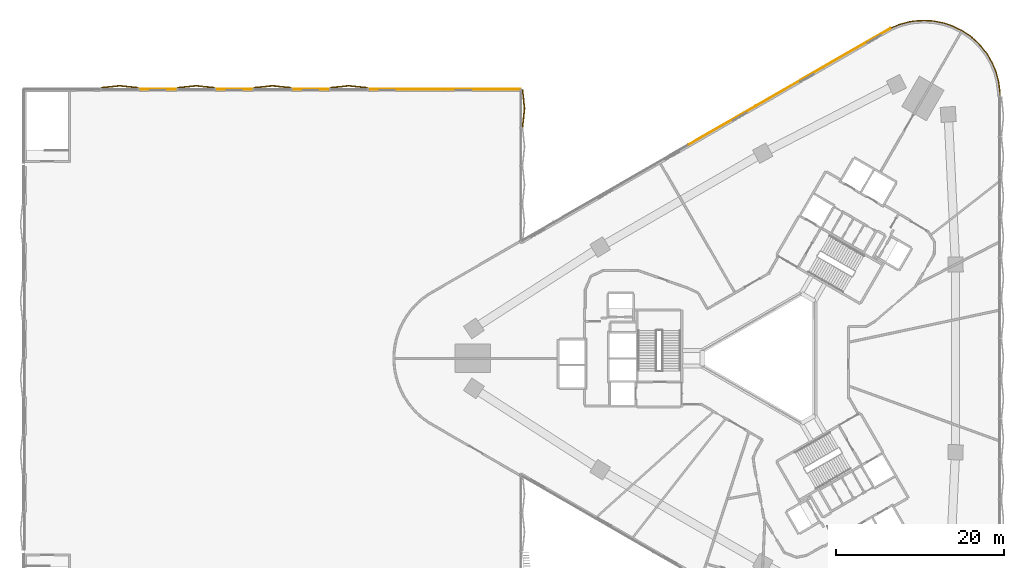
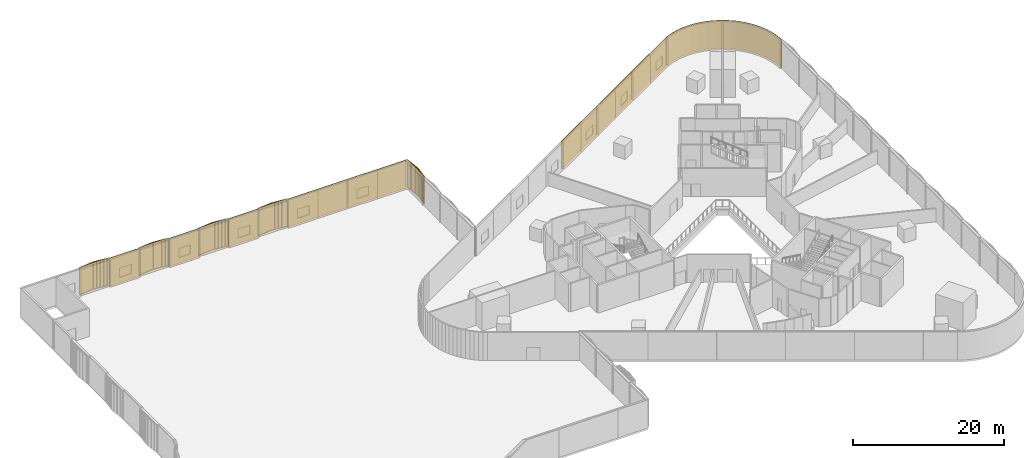
# One storey, part 23 of 24: 14 coverings.
"""IFC4 building model written with IfcOpenShell, lengths in metres."""

from ifc_helpers import new_model, si_unit, direction, frame, frame_2d, origin, origin_2d, place, context, subcontext, project, spatial, polyline, rectangle, outline, extrude, source, transform, mapped, material, layer, layer_set, type_object, element, save


model = new_model("IFC4")

# Units and contexts
model_context = context("Model", 3, precision=1e-05, world=origin(), true_north=direction((0.0, 1.0)))
body_context = subcontext(model_context, "Body", "Model", "MODEL_VIEW")
ifc_project = project(units=[si_unit("LENGTHUNIT", "METRE"), si_unit("AREAUNIT", "SQUARE_METRE"), si_unit("VOLUMEUNIT", "CUBIC_METRE"), si_unit("PLANEANGLEUNIT", "RADIAN"), si_unit("MASSUNIT", "GRAM", prefix="KILO")], contexts=[model_context])

# Site, building, storey
site_placement = place(None, origin())
site = spatial("IfcSite", under=ifc_project, at=site_placement, CompositionType="ELEMENT")
building_placement = place(site_placement, origin())
building = spatial("IfcBuilding", under=site, at=building_placement, Name="Tamra Quay Hotel Tower", CompositionType="ELEMENT")
storey_placement = place(building_placement, frame((0.0, 0.0, 19.5)))
storey = spatial("IfcBuildingStorey", under=building, at=storey_placement, Name="L03", CompositionType="ELEMENT", Elevation=19.5)

# Coverings
ifc_material_1 = material(Name="Precast concrete M60 terracotta-coloured pierced relief", Category="masonry")
ifc_layer = layer(ifc_material_1, 0.10009765625)
ifc_layer_set = layer_set([ifc_layer], Name="PIERCED RELIEF PANEL 100")
covering_type_1 = type_object("IfcCoveringType", Name="PIERCED RELIEF PANEL 100", PredefinedType="CLADDING", material=ifc_layer_set)
covering_1_placement = place(storey_placement, origin())
element("IfcCovering", 1, at=covering_1_placement, inside=storey, type_object=covering_type_1, Name="Relief panel L03.c2", PredefinedType="CLADDING", context=body_context, shape_type="SweptSolid", body=[
    extrude(outline(polyline([(27.0, 31.177001953125), (26.980712890625, 31.765625), (26.8271484375, 32.9326171875), (26.5224609375, 34.06982421875), (26.07177734375, 35.157470703125), (25.483154296875, 36.177001953125), (24.7666015625, 37.111083984375), (23.93408203125, 37.943359375), (23.478759765625, 38.317138671875), (22.5, 38.97119140625), (21.444091796875, 39.491943359375), (20.329345703125, 39.870361328125), (19.1748046875, 40.099853515625), (18.0, 40.177001953125), (16.8251953125, 40.099853515625), (16.244140625, 40.00390625), (15.10693359375, 39.69921875), (14.019287109375, 39.248779296875), (13.981201171875, 39.341064453125), (15.074951171875, 39.7939453125), (16.22314453125, 40.101806640625), (16.813720703125, 40.19921875), (18.0, 40.27685546875), (19.187744140625, 40.198974609375), (20.355224609375, 39.966796875), (21.482421875, 39.584228515625), (22.550048828125, 39.057861328125), (23.538330078125, 38.3974609375), (24.001220703125, 38.017578125), (24.841796875, 37.177001953125), (25.56640625, 36.232666015625), (26.16162109375, 35.20166015625), (26.616943359375, 34.10205078125), (26.925048828125, 32.9521484375), (27.080322265625, 31.773681640625), (27.099853515625, 31.18017578125), (27.0, 31.177001953125)])), origin(), (0.0, 0.0, 1.0), 4.550048828125),
])
for number, where, z_axis, x_axis, name in (
    (2, (9.99267578125, 36.983642578125, 0.0), (0.0, 0.0, 1.0), (-0.866214936261, -0.499671576337, 0.0), "Relief panel L03.NW.00"),
    (3, (1.989013671875, 32.366943359375, 0.0), (0.0, 0.0, 1.0), (-0.866214936261, -0.499671576337, 0.0), "Relief panel L03.NW.02"),
    (4, (-6.014404296875, 27.75, 0.0), (0.0, 0.0, 1.0), (-0.866214936261, -0.499671576337, 0.0), "Relief panel L03.NW.04"),
):
    element("IfcCovering", number, at=place(storey_placement, frame(where, z_axis=z_axis, x_axis=x_axis)), inside=storey, type_object=covering_type_1, Name=name, PredefinedType="CLADDING", context=body_context, shape_type="SweptSolid", body=[
        extrude(rectangle(XDim=9.2197265625, YDim=0.10009765625, at=origin_2d()), origin(), (0.0, 0.0, 1.0), 4.550048828125),
    ])
for number, where, z_axis, x_axis, name in (
    (5, (-34.546142578125, 32.050048828125, 0.0), (0.0, 0.0, 1.0), (-1.0, 0.0, 0.0), "Relief panel L03.NW.11"),
    (6, (-43.638427734375, 32.050048828125, 0.0), (0.0, 0.0, 1.0), (-1.0, 0.0, 0.0), "Relief panel L03.NW.13"),
):
    element("IfcCovering", number, at=place(storey_placement, frame(where, z_axis=z_axis, x_axis=x_axis)), inside=storey, type_object=covering_type_1, Name=name, PredefinedType="CLADDING", context=body_context, shape_type="SweptSolid", body=[
        extrude(rectangle(XDim=9.072265625, YDim=0.10009765625, at=origin_2d()), origin(), (0.0, 0.0, 1.0), 4.550048828125),
    ])
for number, where, z_axis, x_axis, name in (
    (7, (-55.00390625, 32.050048828125, 0.0), (0.0, 0.0, 1.0), (-1.0, 0.0, 0.0), "Relief panel L03.NW.16"),
    (8, (-64.09619140625, 32.050048828125, 0.0), (0.0, 0.0, 1.0), (-1.0, 0.0, 0.0), "Relief panel L03.NW.18"),
    (9, (-73.1884765625, 32.050048828125, 0.0), (0.0, 0.0, 1.0), (-1.0, 0.0, 0.0), "Relief panel L03.NW.20"),
):
    element("IfcCovering", number, at=place(storey_placement, frame(where, z_axis=z_axis, x_axis=x_axis)), inside=storey, type_object=covering_type_1, Name=name, PredefinedType="CLADDING", context=body_context, shape_type="SweptSolid", body=[
        extrude(rectangle(XDim=4.526123046875, YDim=0.10009765625, at=origin_2d()), origin(), (0.0, 0.0, 1.0), 4.550048828125),
    ])
ifc_material_2 = material(Name="Terracotta baguette extruded", Category="masonry")
covering_type_2 = type_object("IfcCoveringType", Name="BAGUETTE SCREEN PODIUM-SHALLOW H4550", PredefinedType="USERDEFINED", material=ifc_material_2)
shared_shape_1 = source(origin(), body_context, "Body", "SweptSolid", [
    extrude(rectangle(XDim=2.234619140625, YDim=0.06005859375, at=frame_2d((1.1171875, 0.030029296875))), frame((-2.228759765625, -0.0576171875, -0.1201171875), z_axis=(0.0, 0.0, 1.0), x_axis=(0.994521895368, -0.104528463268, 0.0)), (0.0, 0.0, 1.0), 0.1201171875),
    extrude(rectangle(XDim=2.234619140625, YDim=0.06005859375, at=frame_2d((1.1171875, 0.030029296875))), frame((-2.228759765625, -0.0576171875, -4.550048828125), z_axis=(0.0, 0.0, 1.0), x_axis=(0.994521895368, -0.104528463268, 0.0)), (0.0, 0.0, 1.0), 0.1201171875),
    extrude(rectangle(XDim=0.094970703125, YDim=0.10009765625, at=frame_2d((0.04736328125, 0.050048828125))), frame((-2.219482421875, -0.13330078125, -4.489990234375)), (0.0, 0.0, 1.0), 4.429931640625),
    extrude(rectangle(XDim=0.094970703125, YDim=0.10009765625, at=frame_2d((0.04736328125, 0.050048828125))), frame((-2.118408203125, -0.14404296875, -4.489990234375)), (0.0, 0.0, 1.0), 4.429931640625),
    extrude(rectangle(XDim=0.094970703125, YDim=0.10009765625, at=frame_2d((0.04736328125, 0.050048828125))), frame((-2.017333984375, -0.154541015625, -4.489990234375)), (0.0, 0.0, 1.0), 4.429931640625),
    extrude(rectangle(XDim=0.094970703125, YDim=0.10009765625, at=frame_2d((0.04736328125, 0.050048828125))), frame((-1.91650390625, -0.1650390625, -4.489990234375)), (0.0, 0.0, 1.0), 4.429931640625),
    extrude(rectangle(XDim=0.094970703125, YDim=0.10009765625, at=frame_2d((0.04736328125, 0.050048828125))), frame((-1.8154296875, -0.17578125, -4.489990234375)), (0.0, 0.0, 1.0), 4.429931640625),
    extrude(rectangle(XDim=0.094970703125, YDim=0.10009765625, at=frame_2d((0.04736328125, 0.050048828125))), frame((-1.71435546875, -0.186279296875, -4.489990234375)), (0.0, 0.0, 1.0), 4.429931640625),
    extrude(rectangle(XDim=0.094970703125, YDim=0.10009765625, at=frame_2d((0.04736328125, 0.050048828125))), frame((-1.61328125, -0.197021484375, -4.489990234375)), (0.0, 0.0, 1.0), 4.429931640625),
    extrude(rectangle(XDim=0.094970703125, YDim=0.10009765625, at=frame_2d((0.04736328125, 0.050048828125))), frame((-1.512451171875, -0.20751953125, -4.489990234375)), (0.0, 0.0, 1.0), 4.429931640625),
    extrude(rectangle(XDim=0.094970703125, YDim=0.10009765625, at=frame_2d((0.04736328125, 0.050048828125))), frame((-1.411376953125, -0.21826171875, -4.489990234375)), (0.0, 0.0, 1.0), 4.429931640625),
    extrude(rectangle(XDim=0.094970703125, YDim=0.10009765625, at=frame_2d((0.04736328125, 0.050048828125))), frame((-1.310302734375, -0.228759765625, -4.489990234375)), (0.0, 0.0, 1.0), 4.429931640625),
    extrude(rectangle(XDim=0.094970703125, YDim=0.10009765625, at=frame_2d((0.04736328125, 0.050048828125))), frame((-1.209228515625, -0.239501953125, -4.489990234375)), (0.0, 0.0, 1.0), 4.429931640625),
    extrude(rectangle(XDim=0.094970703125, YDim=0.10009765625, at=frame_2d((0.04736328125, 0.050048828125))), frame((-1.108154296875, -0.25, -4.489990234375)), (0.0, 0.0, 1.0), 4.429931640625),
    extrude(rectangle(XDim=0.094970703125, YDim=0.10009765625, at=frame_2d((0.04736328125, 0.050048828125))), frame((-1.00732421875, -0.2607421875, -4.489990234375)), (0.0, 0.0, 1.0), 4.429931640625),
    extrude(rectangle(XDim=0.094970703125, YDim=0.10009765625, at=frame_2d((0.04736328125, 0.050048828125))), frame((-0.90625, -0.271240234375, -4.489990234375)), (0.0, 0.0, 1.0), 4.429931640625),
    extrude(rectangle(XDim=0.094970703125, YDim=0.10009765625, at=frame_2d((0.04736328125, 0.050048828125))), frame((-0.80517578125, -0.281982421875, -4.489990234375)), (0.0, 0.0, 1.0), 4.429931640625),
    extrude(rectangle(XDim=0.094970703125, YDim=0.10009765625, at=frame_2d((0.04736328125, 0.050048828125))), frame((-0.7041015625, -0.29248046875, -4.489990234375)), (0.0, 0.0, 1.0), 4.429931640625),
    extrude(rectangle(XDim=0.094970703125, YDim=0.10009765625, at=frame_2d((0.04736328125, 0.050048828125))), frame((-0.60302734375, -0.30322265625, -4.489990234375)), (0.0, 0.0, 1.0), 4.429931640625),
    extrude(rectangle(XDim=0.094970703125, YDim=0.10009765625, at=frame_2d((0.04736328125, 0.050048828125))), frame((-0.502197265625, -0.313720703125, -4.489990234375)), (0.0, 0.0, 1.0), 4.429931640625),
    extrude(rectangle(XDim=0.094970703125, YDim=0.10009765625, at=frame_2d((0.04736328125, 0.050048828125))), frame((-0.401123046875, -0.324462890625, -4.489990234375)), (0.0, 0.0, 1.0), 4.429931640625),
    extrude(rectangle(XDim=0.094970703125, YDim=0.10009765625, at=frame_2d((0.04736328125, 0.050048828125))), frame((-0.300048828125, -0.3349609375, -4.489990234375)), (0.0, 0.0, 1.0), 4.429931640625),
    extrude(rectangle(XDim=0.094970703125, YDim=0.10009765625, at=frame_2d((0.04736328125, 0.050048828125))), frame((-0.198974609375, -0.345703125, -4.489990234375)), (0.0, 0.0, 1.0), 4.429931640625),
    extrude(rectangle(XDim=0.094970703125, YDim=0.10009765625, at=frame_2d((0.04736328125, 0.050048828125))), frame((-0.097900390625, -0.356201171875, -4.489990234375)), (0.0, 0.0, 1.0), 4.429931640625),
    extrude(rectangle(XDim=2.234619140625, YDim=0.06005859375, at=frame_2d((1.1171875, 0.030029296875))), frame((0.00634765625, -0.291259765625, -0.1201171875), z_axis=(0.0, 0.0, 1.0), x_axis=(0.994521895368, 0.104528463268, 0.0)), (0.0, 0.0, 1.0), 0.1201171875),
    extrude(rectangle(XDim=2.234619140625, YDim=0.06005859375, at=frame_2d((1.1171875, 0.030029296875))), frame((0.00634765625, -0.291259765625, -4.550048828125), z_axis=(0.0, 0.0, 1.0), x_axis=(0.994521895368, 0.104528463268, 0.0)), (0.0, 0.0, 1.0), 0.1201171875),
    extrude(rectangle(XDim=0.094970703125, YDim=0.10009765625, at=frame_2d((0.04736328125, 0.050048828125))), frame((0.0029296875, -0.356201171875, -4.489990234375)), (0.0, 0.0, 1.0), 4.429931640625),
    extrude(rectangle(XDim=0.094970703125, YDim=0.10009765625, at=frame_2d((0.04736328125, 0.050048828125))), frame((0.10400390625, -0.345703125, -4.489990234375)), (0.0, 0.0, 1.0), 4.429931640625),
    extrude(rectangle(XDim=0.094970703125, YDim=0.10009765625, at=frame_2d((0.04736328125, 0.050048828125))), frame((0.205078125, -0.3349609375, -4.489990234375)), (0.0, 0.0, 1.0), 4.429931640625),
    extrude(rectangle(XDim=0.094970703125, YDim=0.10009765625, at=frame_2d((0.04736328125, 0.050048828125))), frame((0.30615234375, -0.324462890625, -4.489990234375)), (0.0, 0.0, 1.0), 4.429931640625),
    extrude(rectangle(XDim=0.094970703125, YDim=0.10009765625, at=frame_2d((0.04736328125, 0.050048828125))), frame((0.406982421875, -0.313720703125, -4.489990234375)), (0.0, 0.0, 1.0), 4.429931640625),
    extrude(rectangle(XDim=0.094970703125, YDim=0.10009765625, at=frame_2d((0.04736328125, 0.050048828125))), frame((0.508056640625, -0.30322265625, -4.489990234375)), (0.0, 0.0, 1.0), 4.429931640625),
    extrude(rectangle(XDim=0.094970703125, YDim=0.10009765625, at=frame_2d((0.04736328125, 0.050048828125))), frame((0.609130859375, -0.29248046875, -4.489990234375)), (0.0, 0.0, 1.0), 4.429931640625),
    extrude(rectangle(XDim=0.094970703125, YDim=0.10009765625, at=frame_2d((0.04736328125, 0.050048828125))), frame((0.710205078125, -0.281982421875, -4.489990234375)), (0.0, 0.0, 1.0), 4.429931640625),
    extrude(rectangle(XDim=0.094970703125, YDim=0.10009765625, at=frame_2d((0.04736328125, 0.050048828125))), frame((0.811279296875, -0.271240234375, -4.489990234375)), (0.0, 0.0, 1.0), 4.429931640625),
    extrude(rectangle(XDim=0.094970703125, YDim=0.10009765625, at=frame_2d((0.04736328125, 0.050048828125))), frame((0.912109375, -0.2607421875, -4.489990234375)), (0.0, 0.0, 1.0), 4.429931640625),
    extrude(rectangle(XDim=0.094970703125, YDim=0.10009765625, at=frame_2d((0.04736328125, 0.050048828125))), frame((1.01318359375, -0.25, -4.489990234375)), (0.0, 0.0, 1.0), 4.429931640625),
    extrude(rectangle(XDim=0.094970703125, YDim=0.10009765625, at=frame_2d((0.04736328125, 0.050048828125))), frame((1.1142578125, -0.239501953125, -4.489990234375)), (0.0, 0.0, 1.0), 4.429931640625),
    extrude(rectangle(XDim=0.094970703125, YDim=0.10009765625, at=frame_2d((0.04736328125, 0.050048828125))), frame((1.21533203125, -0.228759765625, -4.489990234375)), (0.0, 0.0, 1.0), 4.429931640625),
    extrude(rectangle(XDim=0.094970703125, YDim=0.10009765625, at=frame_2d((0.04736328125, 0.050048828125))), frame((1.31640625, -0.21826171875, -4.489990234375)), (0.0, 0.0, 1.0), 4.429931640625),
    extrude(rectangle(XDim=0.094970703125, YDim=0.10009765625, at=frame_2d((0.04736328125, 0.050048828125))), frame((1.417236328125, -0.20751953125, -4.489990234375)), (0.0, 0.0, 1.0), 4.429931640625),
    extrude(rectangle(XDim=0.094970703125, YDim=0.10009765625, at=frame_2d((0.04736328125, 0.050048828125))), frame((1.518310546875, -0.197021484375, -4.489990234375)), (0.0, 0.0, 1.0), 4.429931640625),
    extrude(rectangle(XDim=0.094970703125, YDim=0.10009765625, at=frame_2d((0.04736328125, 0.050048828125))), frame((1.619384765625, -0.186279296875, -4.489990234375)), (0.0, 0.0, 1.0), 4.429931640625),
    extrude(rectangle(XDim=0.094970703125, YDim=0.10009765625, at=frame_2d((0.04736328125, 0.050048828125))), frame((1.720458984375, -0.17578125, -4.489990234375)), (0.0, 0.0, 1.0), 4.429931640625),
    extrude(rectangle(XDim=0.094970703125, YDim=0.10009765625, at=frame_2d((0.04736328125, 0.050048828125))), frame((1.821533203125, -0.1650390625, -4.489990234375)), (0.0, 0.0, 1.0), 4.429931640625),
    extrude(rectangle(XDim=0.094970703125, YDim=0.10009765625, at=frame_2d((0.04736328125, 0.050048828125))), frame((1.92236328125, -0.154541015625, -4.489990234375)), (0.0, 0.0, 1.0), 4.429931640625),
    extrude(rectangle(XDim=0.094970703125, YDim=0.10009765625, at=frame_2d((0.04736328125, 0.050048828125))), frame((2.0234375, -0.14404296875, -4.489990234375)), (0.0, 0.0, 1.0), 4.429931640625),
    extrude(rectangle(XDim=0.094970703125, YDim=0.10009765625, at=frame_2d((0.04736328125, 0.050048828125))), frame((2.12451171875, -0.13330078125, -4.489990234375)), (0.0, 0.0, 1.0), 4.429931640625),
])
covering_2_placement = place(storey_placement, frame((-29.85205078125, 29.73193359375, 4.550048828125), z_axis=(0.0, 0.0, 1.0), x_axis=(0.0, 1.0, 0.0)))
element("IfcCovering", 10, at=covering_2_placement, inside=storey, type_object=covering_type_2, Name="Baguette screen L03.E.f20", ObjectType="BAGUETTE SCREEN", PredefinedType="USERDEFINED", context=body_context, shape_type="MappedRepresentation", body=[
    mapped(shared_shape_1, transform((0.0, 0.0, 0.0), scale=1.0)),
])
shared_shape_2 = source(origin(), body_context, "Body", "SweptSolid", [
    extrude(rectangle(XDim=2.244873046875, YDim=0.06005859375, at=frame_2d((1.12255859375, 0.030029296875))), frame((-2.23876953125, -0.0576171875, -0.1201171875), z_axis=(0.0, 0.0, 1.0), x_axis=(0.994521895368, -0.104528463268, 0.0)), (0.0, 0.0, 1.0), 0.1201171875),
    extrude(rectangle(XDim=2.244873046875, YDim=0.06005859375, at=frame_2d((1.12255859375, 0.030029296875))), frame((-2.23876953125, -0.0576171875, -4.550048828125), z_axis=(0.0, 0.0, 1.0), x_axis=(0.994521895368, -0.104528463268, 0.0)), (0.0, 0.0, 1.0), 0.1201171875),
    extrude(rectangle(XDim=0.094970703125, YDim=0.10009765625, at=frame_2d((0.04736328125, 0.050048828125))), frame((-2.229248046875, -0.13330078125, -4.489990234375)), (0.0, 0.0, 1.0), 4.429931640625),
    extrude(rectangle(XDim=0.094970703125, YDim=0.10009765625, at=frame_2d((0.04736328125, 0.050048828125))), frame((-2.127685546875, -0.14404296875, -4.489990234375)), (0.0, 0.0, 1.0), 4.429931640625),
    extrude(rectangle(XDim=0.094970703125, YDim=0.10009765625, at=frame_2d((0.04736328125, 0.050048828125))), frame((-2.0263671875, -0.154541015625, -4.489990234375)), (0.0, 0.0, 1.0), 4.429931640625),
    extrude(rectangle(XDim=0.094970703125, YDim=0.10009765625, at=frame_2d((0.04736328125, 0.050048828125))), frame((-1.9248046875, -0.165283203125, -4.489990234375)), (0.0, 0.0, 1.0), 4.429931640625),
    extrude(rectangle(XDim=0.094970703125, YDim=0.10009765625, at=frame_2d((0.04736328125, 0.050048828125))), frame((-1.8232421875, -0.176025390625, -4.489990234375)), (0.0, 0.0, 1.0), 4.429931640625),
    extrude(rectangle(XDim=0.094970703125, YDim=0.10009765625, at=frame_2d((0.04736328125, 0.050048828125))), frame((-1.721923828125, -0.186767578125, -4.489990234375)), (0.0, 0.0, 1.0), 4.429931640625),
    extrude(rectangle(XDim=0.094970703125, YDim=0.10009765625, at=frame_2d((0.04736328125, 0.050048828125))), frame((-1.620361328125, -0.197265625, -4.489990234375)), (0.0, 0.0, 1.0), 4.429931640625),
    extrude(rectangle(XDim=0.094970703125, YDim=0.10009765625, at=frame_2d((0.04736328125, 0.050048828125))), frame((-1.518798828125, -0.2080078125, -4.489990234375)), (0.0, 0.0, 1.0), 4.429931640625),
    extrude(rectangle(XDim=0.094970703125, YDim=0.10009765625, at=frame_2d((0.04736328125, 0.050048828125))), frame((-1.41748046875, -0.21875, -4.489990234375)), (0.0, 0.0, 1.0), 4.429931640625),
    extrude(rectangle(XDim=0.094970703125, YDim=0.10009765625, at=frame_2d((0.04736328125, 0.050048828125))), frame((-1.31591796875, -0.229248046875, -4.489990234375)), (0.0, 0.0, 1.0), 4.429931640625),
    extrude(rectangle(XDim=0.094970703125, YDim=0.10009765625, at=frame_2d((0.04736328125, 0.050048828125))), frame((-1.214599609375, -0.239990234375, -4.489990234375)), (0.0, 0.0, 1.0), 4.429931640625),
    extrude(rectangle(XDim=0.094970703125, YDim=0.10009765625, at=frame_2d((0.04736328125, 0.050048828125))), frame((-1.113037109375, -0.250732421875, -4.489990234375)), (0.0, 0.0, 1.0), 4.429931640625),
    extrude(rectangle(XDim=0.094970703125, YDim=0.10009765625, at=frame_2d((0.04736328125, 0.050048828125))), frame((-1.011474609375, -0.26123046875, -4.489990234375)), (0.0, 0.0, 1.0), 4.429931640625),
    extrude(rectangle(XDim=0.094970703125, YDim=0.10009765625, at=frame_2d((0.04736328125, 0.050048828125))), frame((-0.91015625, -0.27197265625, -4.489990234375)), (0.0, 0.0, 1.0), 4.429931640625),
    extrude(rectangle(XDim=0.094970703125, YDim=0.10009765625, at=frame_2d((0.04736328125, 0.050048828125))), frame((-0.80859375, -0.28271484375, -4.489990234375)), (0.0, 0.0, 1.0), 4.429931640625),
    extrude(rectangle(XDim=0.094970703125, YDim=0.10009765625, at=frame_2d((0.04736328125, 0.050048828125))), frame((-0.70703125, -0.293212890625, -4.489990234375)), (0.0, 0.0, 1.0), 4.429931640625),
    extrude(rectangle(XDim=0.094970703125, YDim=0.10009765625, at=frame_2d((0.04736328125, 0.050048828125))), frame((-0.605712890625, -0.303955078125, -4.489990234375)), (0.0, 0.0, 1.0), 4.429931640625),
    extrude(rectangle(XDim=0.094970703125, YDim=0.10009765625, at=frame_2d((0.04736328125, 0.050048828125))), frame((-0.504150390625, -0.314697265625, -4.489990234375)), (0.0, 0.0, 1.0), 4.429931640625),
    extrude(rectangle(XDim=0.094970703125, YDim=0.10009765625, at=frame_2d((0.04736328125, 0.050048828125))), frame((-0.402587890625, -0.325439453125, -4.489990234375)), (0.0, 0.0, 1.0), 4.429931640625),
    extrude(rectangle(XDim=0.094970703125, YDim=0.10009765625, at=frame_2d((0.04736328125, 0.050048828125))), frame((-0.30126953125, -0.3359375, -4.489990234375)), (0.0, 0.0, 1.0), 4.429931640625),
    extrude(rectangle(XDim=0.094970703125, YDim=0.10009765625, at=frame_2d((0.04736328125, 0.050048828125))), frame((-0.19970703125, -0.3466796875, -4.489990234375)), (0.0, 0.0, 1.0), 4.429931640625),
    extrude(rectangle(XDim=0.094970703125, YDim=0.10009765625, at=frame_2d((0.04736328125, 0.050048828125))), frame((-0.09814453125, -0.357421875, -4.489990234375)), (0.0, 0.0, 1.0), 4.429931640625),
    extrude(rectangle(XDim=2.244873046875, YDim=0.06005859375, at=frame_2d((1.12255859375, 0.030029296875))), frame((0.00634765625, -0.292236328125, -0.1201171875), z_axis=(0.0, 0.0, 1.0), x_axis=(0.994521895368, 0.104528463268, 0.0)), (0.0, 0.0, 1.0), 0.1201171875),
    extrude(rectangle(XDim=2.244873046875, YDim=0.06005859375, at=frame_2d((1.12255859375, 0.030029296875))), frame((0.00634765625, -0.292236328125, -4.550048828125), z_axis=(0.0, 0.0, 1.0), x_axis=(0.994521895368, 0.104528463268, 0.0)), (0.0, 0.0, 1.0), 0.1201171875),
    extrude(rectangle(XDim=0.094970703125, YDim=0.10009765625, at=frame_2d((0.04736328125, 0.050048828125))), frame((0.003173828125, -0.357421875, -4.489990234375)), (0.0, 0.0, 1.0), 4.429931640625),
    extrude(rectangle(XDim=0.094970703125, YDim=0.10009765625, at=frame_2d((0.04736328125, 0.050048828125))), frame((0.104736328125, -0.3466796875, -4.489990234375)), (0.0, 0.0, 1.0), 4.429931640625),
    extrude(rectangle(XDim=0.094970703125, YDim=0.10009765625, at=frame_2d((0.04736328125, 0.050048828125))), frame((0.206298828125, -0.3359375, -4.489990234375)), (0.0, 0.0, 1.0), 4.429931640625),
    extrude(rectangle(XDim=0.094970703125, YDim=0.10009765625, at=frame_2d((0.04736328125, 0.050048828125))), frame((0.3076171875, -0.325439453125, -4.489990234375)), (0.0, 0.0, 1.0), 4.429931640625),
    extrude(rectangle(XDim=0.094970703125, YDim=0.10009765625, at=frame_2d((0.04736328125, 0.050048828125))), frame((0.4091796875, -0.314697265625, -4.489990234375)), (0.0, 0.0, 1.0), 4.429931640625),
    extrude(rectangle(XDim=0.094970703125, YDim=0.10009765625, at=frame_2d((0.04736328125, 0.050048828125))), frame((0.510498046875, -0.303955078125, -4.489990234375)), (0.0, 0.0, 1.0), 4.429931640625),
    extrude(rectangle(XDim=0.094970703125, YDim=0.10009765625, at=frame_2d((0.04736328125, 0.050048828125))), frame((0.612060546875, -0.293212890625, -4.489990234375)), (0.0, 0.0, 1.0), 4.429931640625),
    extrude(rectangle(XDim=0.094970703125, YDim=0.10009765625, at=frame_2d((0.04736328125, 0.050048828125))), frame((0.713623046875, -0.28271484375, -4.489990234375)), (0.0, 0.0, 1.0), 4.429931640625),
    extrude(rectangle(XDim=0.094970703125, YDim=0.10009765625, at=frame_2d((0.04736328125, 0.050048828125))), frame((0.81494140625, -0.27197265625, -4.489990234375)), (0.0, 0.0, 1.0), 4.429931640625),
    extrude(rectangle(XDim=0.094970703125, YDim=0.10009765625, at=frame_2d((0.04736328125, 0.050048828125))), frame((0.91650390625, -0.26123046875, -4.489990234375)), (0.0, 0.0, 1.0), 4.429931640625),
    extrude(rectangle(XDim=0.094970703125, YDim=0.10009765625, at=frame_2d((0.04736328125, 0.050048828125))), frame((1.01806640625, -0.250732421875, -4.489990234375)), (0.0, 0.0, 1.0), 4.429931640625),
    extrude(rectangle(XDim=0.094970703125, YDim=0.10009765625, at=frame_2d((0.04736328125, 0.050048828125))), frame((1.119384765625, -0.239990234375, -4.489990234375)), (0.0, 0.0, 1.0), 4.429931640625),
    extrude(rectangle(XDim=0.094970703125, YDim=0.10009765625, at=frame_2d((0.04736328125, 0.050048828125))), frame((1.220947265625, -0.229248046875, -4.489990234375)), (0.0, 0.0, 1.0), 4.429931640625),
    extrude(rectangle(XDim=0.094970703125, YDim=0.10009765625, at=frame_2d((0.04736328125, 0.050048828125))), frame((1.322509765625, -0.21875, -4.489990234375)), (0.0, 0.0, 1.0), 4.429931640625),
    extrude(rectangle(XDim=0.094970703125, YDim=0.10009765625, at=frame_2d((0.04736328125, 0.050048828125))), frame((1.423828125, -0.2080078125, -4.489990234375)), (0.0, 0.0, 1.0), 4.429931640625),
    extrude(rectangle(XDim=0.094970703125, YDim=0.10009765625, at=frame_2d((0.04736328125, 0.050048828125))), frame((1.525390625, -0.197265625, -4.489990234375)), (0.0, 0.0, 1.0), 4.429931640625),
    extrude(rectangle(XDim=0.094970703125, YDim=0.10009765625, at=frame_2d((0.04736328125, 0.050048828125))), frame((1.626953125, -0.186767578125, -4.489990234375)), (0.0, 0.0, 1.0), 4.429931640625),
    extrude(rectangle(XDim=0.094970703125, YDim=0.10009765625, at=frame_2d((0.04736328125, 0.050048828125))), frame((1.728271484375, -0.176025390625, -4.489990234375)), (0.0, 0.0, 1.0), 4.429931640625),
    extrude(rectangle(XDim=0.094970703125, YDim=0.10009765625, at=frame_2d((0.04736328125, 0.050048828125))), frame((1.829833984375, -0.165283203125, -4.489990234375)), (0.0, 0.0, 1.0), 4.429931640625),
    extrude(rectangle(XDim=0.094970703125, YDim=0.10009765625, at=frame_2d((0.04736328125, 0.050048828125))), frame((1.931396484375, -0.154541015625, -4.489990234375)), (0.0, 0.0, 1.0), 4.429931640625),
    extrude(rectangle(XDim=0.094970703125, YDim=0.10009765625, at=frame_2d((0.04736328125, 0.050048828125))), frame((2.03271484375, -0.14404296875, -4.489990234375)), (0.0, 0.0, 1.0), 4.429931640625),
    extrude(rectangle(XDim=0.094970703125, YDim=0.10009765625, at=frame_2d((0.04736328125, 0.050048828125))), frame((2.13427734375, -0.13330078125, -4.489990234375)), (0.0, 0.0, 1.0), 4.429931640625),
])
for number, where, z_axis, x_axis, name in (
    (11, (-50.457763671875, 32.14794921875, 4.550048828125), (0.0, 0.0, 1.0), (-1.0, 0.0, 0.0), "Baguette screen L03.NW.f00"),
    (12, (-59.550048828125, 32.14794921875, 4.550048828125), (0.0, 0.0, 1.0), (-1.0, 0.0, 0.0), "Baguette screen L03.NW.f01"),
    (13, (-68.642333984375, 32.14794921875, 4.550048828125), (0.0, 0.0, 1.0), (-1.0, 0.0, 0.0), "Baguette screen L03.NW.f02"),
    (14, (-77.734619140625, 32.14794921875, 4.550048828125), (0.0, 0.0, 1.0), (-1.0, 0.0, 0.0), "Baguette screen L03.NW.f03"),
):
    element("IfcCovering", number, at=place(storey_placement, frame(where, z_axis=z_axis, x_axis=x_axis)), inside=storey, type_object=covering_type_2, Name=name, ObjectType="BAGUETTE SCREEN", PredefinedType="USERDEFINED", context=body_context, shape_type="MappedRepresentation", body=[
        mapped(shared_shape_2, transform((0.0, 0.0, 0.0), scale=1.0)),
    ])

save(model, "model.ifc")
